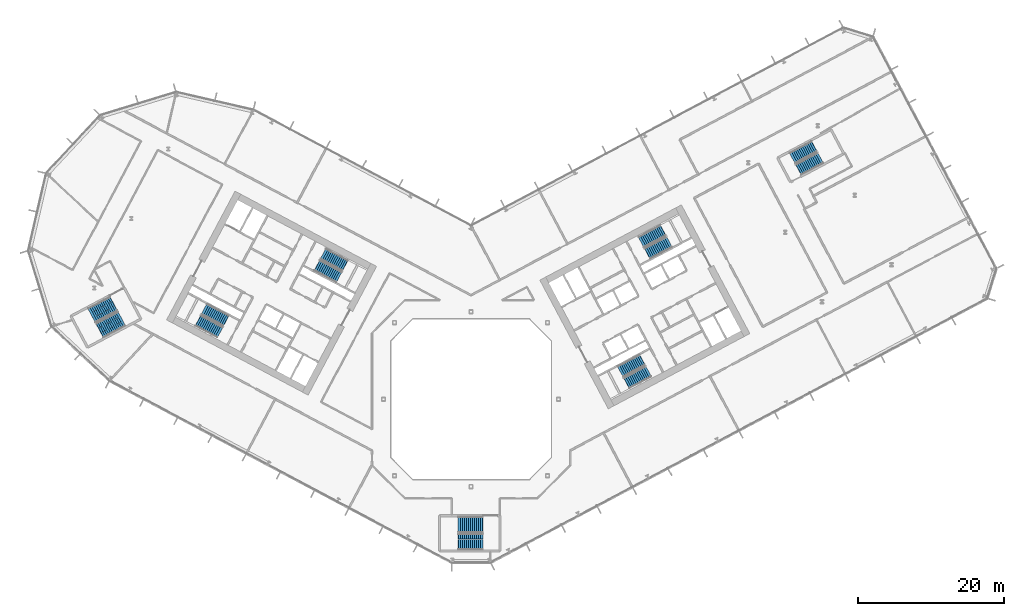
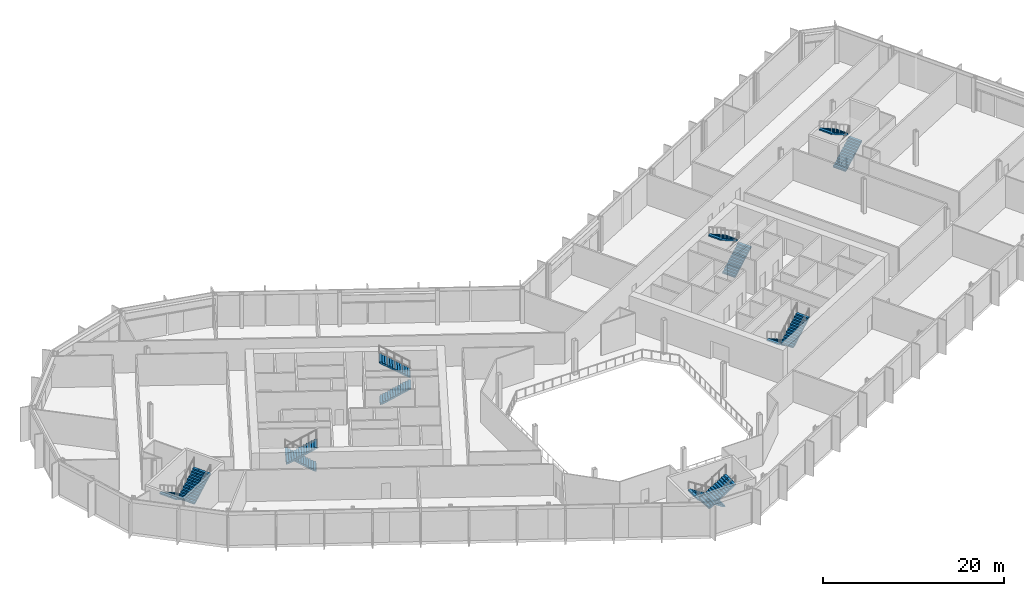
# One storey, part 20 of 31: 14 stair flights, 7 elements without a shape of their own.
"""IFC4 building model written with IfcOpenShell, lengths in metres."""

from ifc_helpers import new_model, si_unit, direction, frame, origin, place, context, subcontext, project, spatial, polyline, outline, extrude, material, type_object, element, aggregate, save


model = new_model("IFC4")

# Units and contexts
model_context = context("Model", 3, precision=1e-05, world=origin(), true_north=direction((0.0, 1.0)))
body_context = subcontext(model_context, "Body", "Model", "MODEL_VIEW")
ifc_project = project(units=[si_unit("LENGTHUNIT", "METRE"), si_unit("AREAUNIT", "SQUARE_METRE"), si_unit("VOLUMEUNIT", "CUBIC_METRE"), si_unit("PLANEANGLEUNIT", "RADIAN"), si_unit("MASSUNIT", "GRAM", prefix="KILO")], contexts=[model_context])

# Site, building, storey
site_placement = place(None, origin())
site = spatial("IfcSite", under=ifc_project, at=site_placement, CompositionType="ELEMENT")
building_placement = place(site_placement, origin())
building = spatial("IfcBuilding", under=site, at=building_placement, Name="Cormorant Relay Tower", CompositionType="ELEMENT")
storey_placement = place(building_placement, frame((0.0, 0.0, 93.800048828125)))
storey = spatial("IfcBuildingStorey", under=building, at=storey_placement, Name="L18", CompositionType="ELEMENT", Elevation=93.800048828125)

# Stair, stair flights
ifc_material_1 = material(Name="Concrete 40 MPa", Category="concrete")
stair_type_1 = type_object("IfcStairType", Name="Exit stair 1500", PredefinedType="HALF_TURN_STAIR", material=ifc_material_1)
stair_1_placement = place(storey_placement, origin())
stair_1 = element("IfcStair", 1, at=stair_1_placement, inside=storey, type_object=stair_type_1, Name="L18 Stair", PredefinedType="HALF_TURN_STAIR")
ifc_material_2 = material(Name="Concrete 40 MPa", Category="concrete")
stair_flight_type_1 = type_object("IfcStairFlightType", Name="Exit stair flight 1650", PredefinedType="STRAIGHT", material=ifc_material_2)
stair_flight_1_placement = place(storey_placement, frame((-21.114501953125, 18.33349609375, 0.0), z_axis=(0.0, 0.0, 1.0), x_axis=(0.882947592859, -0.469471562786, 0.0)))
stair_flight_1 = element("IfcStairFlight", 2, at=stair_flight_1_placement, type_object=stair_flight_type_1, Name="A1 flight 1", NumberOfRisers=13, NumberOfTreads=12, PredefinedType="STRAIGHT", RiserHeight=0.176923077, TreadLength=0.28, context=body_context, shape_type="SweptSolid", body=[
    extrude(outline(polyline([(-0.050048828125, -0.080078125), (-0.050048828125, 0.0), (0.0, 0.0), (0.0, 0.177001953125), (0.280029296875, 0.177001953125), (0.280029296875, 0.353759765625), (0.56005859375, 0.353759765625), (0.56005859375, 0.53076171875), (0.840087890625, 0.53076171875), (0.840087890625, 0.707763671875), (1.1201171875, 0.707763671875), (1.1201171875, 0.884521484375), (1.39990234375, 0.884521484375), (1.39990234375, 1.0615234375), (1.679931640625, 1.0615234375), (1.679931640625, 1.238525390625), (1.9599609375, 1.238525390625), (1.9599609375, 1.415283203125), (2.239990234375, 1.415283203125), (2.239990234375, 1.59228515625), (2.52001953125, 1.59228515625), (2.52001953125, 1.769287109375), (2.800048828125, 1.769287109375), (2.800048828125, 1.946044921875), (3.080078125, 1.946044921875), (3.080078125, 2.123046875), (3.360107421875, 2.123046875), (3.41015625, 2.123046875), (3.41015625, 1.94580078125), (3.360107421875, 1.94580078125), (0.280517578125, 0.0), (-0.050048828125, -0.080078125)])), frame((0.0, 0.824951171875, 0.0), z_axis=(0.0, -1.0, 0.0), x_axis=(1.0, 0.0, 0.0)), (0.0, 0.0, 1.0), 1.64990234375),
])
stair_flight_2_placement = place(storey_placement, frame((-17.302734375, 18.345458984375, 2.300048828125), z_axis=(0.0, 0.0, 1.0), x_axis=(-0.882947592859, 0.469471562786, 0.0)))
stair_flight_2 = element("IfcStairFlight", 3, at=stair_flight_2_placement, type_object=stair_flight_type_1, Name="A1 flight 2", NumberOfRisers=13, NumberOfTreads=12, PredefinedType="STRAIGHT", RiserHeight=0.176923077, TreadLength=0.28, context=body_context, shape_type="SweptSolid", body=[
    extrude(outline(polyline([(-0.050048828125, -0.080078125), (-0.050048828125, 0.0), (0.0, 0.0), (0.0, 0.177001953125), (0.280029296875, 0.177001953125), (0.280029296875, 0.353759765625), (0.56005859375, 0.353759765625), (0.56005859375, 0.53076171875), (0.840087890625, 0.53076171875), (0.840087890625, 0.707763671875), (1.1201171875, 0.707763671875), (1.1201171875, 0.884521484375), (1.39990234375, 0.884521484375), (1.39990234375, 1.0615234375), (1.679931640625, 1.0615234375), (1.679931640625, 1.238525390625), (1.9599609375, 1.238525390625), (1.9599609375, 1.415283203125), (2.239990234375, 1.415283203125), (2.239990234375, 1.59228515625), (2.52001953125, 1.59228515625), (2.52001953125, 1.769287109375), (2.800048828125, 1.769287109375), (2.800048828125, 1.946044921875), (3.080078125, 1.946044921875), (3.080078125, 2.123046875), (3.360107421875, 2.123046875), (3.41015625, 2.123046875), (3.41015625, 1.94580078125), (3.360107421875, 1.94580078125), (0.280517578125, 0.0), (-0.050048828125, -0.080078125)])), frame((0.0, 0.824951171875, 0.0), z_axis=(0.0, -1.0, 0.0), x_axis=(1.0, 0.0, 0.0)), (0.0, 0.0, 1.0), 1.64990234375),
])
aggregate(stair_1, [stair_flight_1, stair_flight_2])

stair_2_placement = place(storey_placement, origin())
stair_2 = element("IfcStair", 4, at=stair_2_placement, inside=storey, type_object=stair_type_1, Name="L18 Stair", PredefinedType="HALF_TURN_STAIR")
stair_flight_3_placement = place(storey_placement, frame((-33.62841796875, 10.773681640625, 0.0), z_axis=(0.0, 0.0, 1.0), x_axis=(-0.882947592859, 0.469471562786, 0.0)))
stair_flight_3 = element("IfcStairFlight", 5, at=stair_flight_3_placement, type_object=stair_flight_type_1, Name="A2 flight 1", NumberOfRisers=13, NumberOfTreads=12, PredefinedType="STRAIGHT", RiserHeight=0.176923077, TreadLength=0.28, context=body_context, shape_type="SweptSolid", body=[
    extrude(outline(polyline([(-0.050048828125, -0.080078125), (-0.050048828125, 0.0), (0.0, 0.0), (0.0, 0.177001953125), (0.280029296875, 0.177001953125), (0.280029296875, 0.353759765625), (0.56005859375, 0.353759765625), (0.56005859375, 0.53076171875), (0.840087890625, 0.53076171875), (0.840087890625, 0.707763671875), (1.1201171875, 0.707763671875), (1.1201171875, 0.884521484375), (1.39990234375, 0.884521484375), (1.39990234375, 1.0615234375), (1.679931640625, 1.0615234375), (1.679931640625, 1.238525390625), (1.9599609375, 1.238525390625), (1.9599609375, 1.415283203125), (2.239990234375, 1.415283203125), (2.239990234375, 1.59228515625), (2.52001953125, 1.59228515625), (2.52001953125, 1.769287109375), (2.800048828125, 1.769287109375), (2.800048828125, 1.946044921875), (3.080078125, 1.946044921875), (3.080078125, 2.123046875), (3.360107421875, 2.123046875), (3.41015625, 2.123046875), (3.41015625, 1.94580078125), (3.360107421875, 1.94580078125), (0.280517578125, 0.0), (-0.050048828125, -0.080078125)])), frame((0.0, 0.824951171875, 0.0), z_axis=(0.0, -1.0, 0.0), x_axis=(1.0, 0.0, 0.0)), (0.0, 0.0, 1.0), 1.64990234375),
])
stair_flight_4_placement = place(storey_placement, frame((-37.440185546875, 10.76171875, 2.300048828125), z_axis=(0.0, 0.0, 1.0), x_axis=(0.882947592859, -0.469471562786, 0.0)))
stair_flight_4 = element("IfcStairFlight", 6, at=stair_flight_4_placement, type_object=stair_flight_type_1, Name="A2 flight 2", NumberOfRisers=13, NumberOfTreads=12, PredefinedType="STRAIGHT", RiserHeight=0.176923077, TreadLength=0.28, context=body_context, shape_type="SweptSolid", body=[
    extrude(outline(polyline([(-0.050048828125, -0.080078125), (-0.050048828125, 0.0), (0.0, 0.0), (0.0, 0.177001953125), (0.280029296875, 0.177001953125), (0.280029296875, 0.353759765625), (0.56005859375, 0.353759765625), (0.56005859375, 0.53076171875), (0.840087890625, 0.53076171875), (0.840087890625, 0.707763671875), (1.1201171875, 0.707763671875), (1.1201171875, 0.884521484375), (1.39990234375, 0.884521484375), (1.39990234375, 1.0615234375), (1.679931640625, 1.0615234375), (1.679931640625, 1.238525390625), (1.9599609375, 1.238525390625), (1.9599609375, 1.415283203125), (2.239990234375, 1.415283203125), (2.239990234375, 1.59228515625), (2.52001953125, 1.59228515625), (2.52001953125, 1.769287109375), (2.800048828125, 1.769287109375), (2.800048828125, 1.946044921875), (3.080078125, 1.946044921875), (3.080078125, 2.123046875), (3.360107421875, 2.123046875), (3.41015625, 2.123046875), (3.41015625, 1.94580078125), (3.360107421875, 1.94580078125), (0.280517578125, 0.0), (-0.050048828125, -0.080078125)])), frame((0.0, 0.824951171875, 0.0), z_axis=(0.0, -1.0, 0.0), x_axis=(1.0, 0.0, 0.0)), (0.0, 0.0, 1.0), 1.64990234375),
])
aggregate(stair_2, [stair_flight_3, stair_flight_4])

stair_3_placement = place(storey_placement, origin())
stair_3 = element("IfcStair", 7, at=stair_3_placement, inside=storey, type_object=stair_type_1, Name="L18 Stair", PredefinedType="HALF_TURN_STAIR")
stair_flight_5_placement = place(storey_placement, frame((23.474365234375, 5.374755859375, 0.0), z_axis=(0.0, 0.0, 1.0), x_axis=(-0.882947592859, -0.469471562786, 0.0)))
stair_flight_5 = element("IfcStairFlight", 8, at=stair_flight_5_placement, type_object=stair_flight_type_1, Name="B1 flight 1", NumberOfRisers=13, NumberOfTreads=12, PredefinedType="STRAIGHT", RiserHeight=0.176923077, TreadLength=0.28, context=body_context, shape_type="SweptSolid", body=[
    extrude(outline(polyline([(-0.050048828125, -0.080078125), (-0.050048828125, 0.0), (0.0, 0.0), (0.0, 0.177001953125), (0.280029296875, 0.177001953125), (0.280029296875, 0.353759765625), (0.56005859375, 0.353759765625), (0.56005859375, 0.53076171875), (0.840087890625, 0.53076171875), (0.840087890625, 0.707763671875), (1.1201171875, 0.707763671875), (1.1201171875, 0.884521484375), (1.39990234375, 0.884521484375), (1.39990234375, 1.0615234375), (1.679931640625, 1.0615234375), (1.679931640625, 1.238525390625), (1.9599609375, 1.238525390625), (1.9599609375, 1.415283203125), (2.239990234375, 1.415283203125), (2.239990234375, 1.59228515625), (2.52001953125, 1.59228515625), (2.52001953125, 1.769287109375), (2.800048828125, 1.769287109375), (2.800048828125, 1.946044921875), (3.080078125, 1.946044921875), (3.080078125, 2.123046875), (3.360107421875, 2.123046875), (3.41015625, 2.123046875), (3.41015625, 1.94580078125), (3.360107421875, 1.94580078125), (0.280517578125, 0.0), (-0.050048828125, -0.080078125)])), frame((0.0, 0.824951171875, 0.0), z_axis=(0.0, -1.0, 0.0), x_axis=(1.0, 0.0, 0.0)), (0.0, 0.0, 1.0), 1.64990234375),
])
stair_flight_6_placement = place(storey_placement, frame((21.352783203125, 2.2080078125, 2.300048828125), z_axis=(0.0, 0.0, 1.0), x_axis=(0.882947592859, 0.469471562786, 0.0)))
stair_flight_6 = element("IfcStairFlight", 9, at=stair_flight_6_placement, type_object=stair_flight_type_1, Name="B1 flight 2", NumberOfRisers=13, NumberOfTreads=12, PredefinedType="STRAIGHT", RiserHeight=0.176923077, TreadLength=0.28, context=body_context, shape_type="SweptSolid", body=[
    extrude(outline(polyline([(-0.050048828125, -0.080078125), (-0.050048828125, 0.0), (0.0, 0.0), (0.0, 0.177001953125), (0.280029296875, 0.177001953125), (0.280029296875, 0.353759765625), (0.56005859375, 0.353759765625), (0.56005859375, 0.53076171875), (0.840087890625, 0.53076171875), (0.840087890625, 0.707763671875), (1.1201171875, 0.707763671875), (1.1201171875, 0.884521484375), (1.39990234375, 0.884521484375), (1.39990234375, 1.0615234375), (1.679931640625, 1.0615234375), (1.679931640625, 1.238525390625), (1.9599609375, 1.238525390625), (1.9599609375, 1.415283203125), (2.239990234375, 1.415283203125), (2.239990234375, 1.59228515625), (2.52001953125, 1.59228515625), (2.52001953125, 1.769287109375), (2.800048828125, 1.769287109375), (2.800048828125, 1.946044921875), (3.080078125, 1.946044921875), (3.080078125, 2.123046875), (3.360107421875, 2.123046875), (3.41015625, 2.123046875), (3.41015625, 1.94580078125), (3.360107421875, 1.94580078125), (0.280517578125, 0.0), (-0.050048828125, -0.080078125)])), frame((0.0, 0.824951171875, 0.0), z_axis=(0.0, -1.0, 0.0), x_axis=(1.0, 0.0, 0.0)), (0.0, 0.0, 1.0), 1.64990234375),
])
aggregate(stair_3, [stair_flight_5, stair_flight_6])

stair_4_placement = place(storey_placement, origin())
stair_4 = element("IfcStair", 10, at=stair_4_placement, inside=storey, type_object=stair_type_1, Name="L18 Stair", PredefinedType="HALF_TURN_STAIR")
stair_flight_7_placement = place(storey_placement, frame((24.20458984375, 19.976806640625, 0.0), z_axis=(0.0, 0.0, 1.0), x_axis=(0.882947592859, 0.469471562786, 0.0)))
stair_flight_7 = element("IfcStairFlight", 11, at=stair_flight_7_placement, type_object=stair_flight_type_1, Name="B2 flight 1", NumberOfRisers=13, NumberOfTreads=12, PredefinedType="STRAIGHT", RiserHeight=0.176923077, TreadLength=0.28, context=body_context, shape_type="SweptSolid", body=[
    extrude(outline(polyline([(-0.050048828125, -0.080078125), (-0.050048828125, 0.0), (0.0, 0.0), (0.0, 0.177001953125), (0.280029296875, 0.177001953125), (0.280029296875, 0.353759765625), (0.56005859375, 0.353759765625), (0.56005859375, 0.53076171875), (0.840087890625, 0.53076171875), (0.840087890625, 0.707763671875), (1.1201171875, 0.707763671875), (1.1201171875, 0.884521484375), (1.39990234375, 0.884521484375), (1.39990234375, 1.0615234375), (1.679931640625, 1.0615234375), (1.679931640625, 1.238525390625), (1.9599609375, 1.238525390625), (1.9599609375, 1.415283203125), (2.239990234375, 1.415283203125), (2.239990234375, 1.59228515625), (2.52001953125, 1.59228515625), (2.52001953125, 1.769287109375), (2.800048828125, 1.769287109375), (2.800048828125, 1.946044921875), (3.080078125, 1.946044921875), (3.080078125, 2.123046875), (3.360107421875, 2.123046875), (3.41015625, 2.123046875), (3.41015625, 1.94580078125), (3.360107421875, 1.94580078125), (0.280517578125, 0.0), (-0.050048828125, -0.080078125)])), frame((0.0, 0.824951171875, 0.0), z_axis=(0.0, -1.0, 0.0), x_axis=(1.0, 0.0, 0.0)), (0.0, 0.0, 1.0), 1.64990234375),
])
stair_flight_8_placement = place(storey_placement, frame((26.326416015625, 23.1435546875, 2.300048828125), z_axis=(0.0, 0.0, 1.0), x_axis=(-0.882947592859, -0.469471562786, 0.0)))
stair_flight_8 = element("IfcStairFlight", 12, at=stair_flight_8_placement, type_object=stair_flight_type_1, Name="B2 flight 2", NumberOfRisers=13, NumberOfTreads=12, PredefinedType="STRAIGHT", RiserHeight=0.176923077, TreadLength=0.28, context=body_context, shape_type="SweptSolid", body=[
    extrude(outline(polyline([(-0.050048828125, -0.080078125), (-0.050048828125, 0.0), (0.0, 0.0), (0.0, 0.177001953125), (0.280029296875, 0.177001953125), (0.280029296875, 0.353759765625), (0.56005859375, 0.353759765625), (0.56005859375, 0.53076171875), (0.840087890625, 0.53076171875), (0.840087890625, 0.707763671875), (1.1201171875, 0.707763671875), (1.1201171875, 0.884521484375), (1.39990234375, 0.884521484375), (1.39990234375, 1.0615234375), (1.679931640625, 1.0615234375), (1.679931640625, 1.238525390625), (1.9599609375, 1.238525390625), (1.9599609375, 1.415283203125), (2.239990234375, 1.415283203125), (2.239990234375, 1.59228515625), (2.52001953125, 1.59228515625), (2.52001953125, 1.769287109375), (2.800048828125, 1.769287109375), (2.800048828125, 1.946044921875), (3.080078125, 1.946044921875), (3.080078125, 2.123046875), (3.360107421875, 2.123046875), (3.41015625, 2.123046875), (3.41015625, 1.94580078125), (3.360107421875, 1.94580078125), (0.280517578125, 0.0), (-0.050048828125, -0.080078125)])), frame((0.0, 0.824951171875, 0.0), z_axis=(0.0, -1.0, 0.0), x_axis=(1.0, 0.0, 0.0)), (0.0, 0.0, 1.0), 1.64990234375),
])
aggregate(stair_4, [stair_flight_7, stair_flight_8])

stair_5_placement = place(storey_placement, origin())
stair_5 = element("IfcStair", 13, at=stair_5_placement, inside=storey, type_object=stair_type_1, Name="L18 Stair", PredefinedType="HALF_TURN_STAIR")
stair_flight_9_placement = place(storey_placement, frame((44.947509765625, 31.502197265625, 0.0), z_axis=(0.0, 0.0, 1.0), x_axis=(0.882947502727, 0.4694717323, 0.0)))
stair_flight_9 = element("IfcStairFlight", 14, at=stair_flight_9_placement, type_object=stair_flight_type_1, Name="RB1 flight 1", NumberOfRisers=13, NumberOfTreads=12, PredefinedType="STRAIGHT", RiserHeight=0.176923077, TreadLength=0.28, context=body_context, shape_type="SweptSolid", body=[
    extrude(outline(polyline([(-0.050048828125, -0.080078125), (-0.050048828125, 0.0), (0.0, 0.0), (0.0, 0.177001953125), (0.280029296875, 0.177001953125), (0.280029296875, 0.353759765625), (0.56005859375, 0.353759765625), (0.56005859375, 0.53076171875), (0.840087890625, 0.53076171875), (0.840087890625, 0.707763671875), (1.1201171875, 0.707763671875), (1.1201171875, 0.884521484375), (1.39990234375, 0.884521484375), (1.39990234375, 1.0615234375), (1.679931640625, 1.0615234375), (1.679931640625, 1.238525390625), (1.9599609375, 1.238525390625), (1.9599609375, 1.415283203125), (2.239990234375, 1.415283203125), (2.239990234375, 1.59228515625), (2.52001953125, 1.59228515625), (2.52001953125, 1.769287109375), (2.800048828125, 1.769287109375), (2.800048828125, 1.946044921875), (3.080078125, 1.946044921875), (3.080078125, 2.123046875), (3.360107421875, 2.123046875), (3.41015625, 2.123046875), (3.41015625, 1.94580078125), (3.360107421875, 1.94580078125), (0.280517578125, 0.0), (-0.050048828125, -0.080078125)])), frame((0.0, 0.824951171875, 0.0), z_axis=(0.0, -1.0, 0.0), x_axis=(1.0, 0.0, 0.0)), (0.0, 0.0, 1.0), 1.64990234375),
])
stair_flight_10_placement = place(storey_placement, frame((47.0693359375, 34.668701171875, 2.300048828125), z_axis=(0.0, 0.0, 1.0), x_axis=(-0.882947502727, -0.4694717323, 0.0)))
stair_flight_10 = element("IfcStairFlight", 15, at=stair_flight_10_placement, type_object=stair_flight_type_1, Name="RB1 flight 2", NumberOfRisers=13, NumberOfTreads=12, PredefinedType="STRAIGHT", RiserHeight=0.176923077, TreadLength=0.28, context=body_context, shape_type="SweptSolid", body=[
    extrude(outline(polyline([(-0.050048828125, -0.080078125), (-0.050048828125, 0.0), (0.0, 0.0), (0.0, 0.177001953125), (0.280029296875, 0.177001953125), (0.280029296875, 0.353759765625), (0.56005859375, 0.353759765625), (0.56005859375, 0.53076171875), (0.840087890625, 0.53076171875), (0.840087890625, 0.707763671875), (1.1201171875, 0.707763671875), (1.1201171875, 0.884521484375), (1.39990234375, 0.884521484375), (1.39990234375, 1.0615234375), (1.679931640625, 1.0615234375), (1.679931640625, 1.238525390625), (1.9599609375, 1.238525390625), (1.9599609375, 1.415283203125), (2.239990234375, 1.415283203125), (2.239990234375, 1.59228515625), (2.52001953125, 1.59228515625), (2.52001953125, 1.769287109375), (2.800048828125, 1.769287109375), (2.800048828125, 1.946044921875), (3.080078125, 1.946044921875), (3.080078125, 2.123046875), (3.360107421875, 2.123046875), (3.41015625, 2.123046875), (3.41015625, 1.94580078125), (3.360107421875, 1.94580078125), (0.280517578125, 0.0), (-0.050048828125, -0.080078125)])), frame((0.0, 0.824951171875, 0.0), z_axis=(0.0, -1.0, 0.0), x_axis=(1.0, 0.0, 0.0)), (0.0, 0.0, 1.0), 1.64990234375),
])
aggregate(stair_5, [stair_flight_9, stair_flight_10])

ifc_material_3 = material(Name="Concrete 40 MPa", Category="concrete")
stair_type_2 = type_object("IfcStairType", Name="Remote exit stair 2200", PredefinedType="HALF_TURN_STAIR", material=ifc_material_3)
stair_6_placement = place(storey_placement, origin())
stair_6 = element("IfcStair", 16, at=stair_6_placement, inside=storey, type_object=stair_type_2, Name="L18 Stair", PredefinedType="HALF_TURN_STAIR")
ifc_material_4 = material(Name="Concrete 40 MPa", Category="concrete")
stair_flight_type_2 = type_object("IfcStairFlightType", Name="Remote exit stair flight 2200", PredefinedType="STRAIGHT", material=ifc_material_4)
stair_flight_11_placement = place(storey_placement, frame((1.60009765625, -17.22509765625, 0.0), z_axis=(0.0, 0.0, 1.0), x_axis=(-1.0, 0.0, 0.0)))
stair_flight_11 = element("IfcStairFlight", 17, at=stair_flight_11_placement, type_object=stair_flight_type_2, Name="RK1 flight 1", NumberOfRisers=13, NumberOfTreads=12, PredefinedType="STRAIGHT", RiserHeight=0.176923077, TreadLength=0.28, context=body_context, shape_type="SweptSolid", body=[
    extrude(outline(polyline([(-0.050048828125, -0.080078125), (-0.050048828125, 0.0), (0.0, 0.0), (0.0, 0.177001953125), (0.280029296875, 0.177001953125), (0.280029296875, 0.353759765625), (0.56005859375, 0.353759765625), (0.56005859375, 0.53076171875), (0.840087890625, 0.53076171875), (0.840087890625, 0.707763671875), (1.1201171875, 0.707763671875), (1.1201171875, 0.884521484375), (1.39990234375, 0.884521484375), (1.39990234375, 1.0615234375), (1.679931640625, 1.0615234375), (1.679931640625, 1.238525390625), (1.9599609375, 1.238525390625), (1.9599609375, 1.415283203125), (2.239990234375, 1.415283203125), (2.239990234375, 1.59228515625), (2.52001953125, 1.59228515625), (2.52001953125, 1.769287109375), (2.800048828125, 1.769287109375), (2.800048828125, 1.946044921875), (3.080078125, 1.946044921875), (3.080078125, 2.123046875), (3.360107421875, 2.123046875), (3.41015625, 2.123046875), (3.41015625, 1.94580078125), (3.360107421875, 1.94580078125), (0.280517578125, 0.0), (-0.050048828125, -0.080078125)])), frame((0.0, 1.10009765625, 0.0), z_axis=(0.0, -1.0, 0.0), x_axis=(1.0, 0.0, 0.0)), (0.0, 0.0, 1.0), 0.719970703125),
    extrude(outline(polyline([(-0.050048828125, -0.080078125), (-0.050048828125, 0.0), (0.0, 0.0), (0.0, 0.177001953125), (0.280029296875, 0.177001953125), (0.280029296875, 0.353759765625), (0.56005859375, 0.353759765625), (0.56005859375, 0.53076171875), (0.840087890625, 0.53076171875), (0.840087890625, 0.707763671875), (1.1201171875, 0.707763671875), (1.1201171875, 0.884521484375), (1.39990234375, 0.884521484375), (1.39990234375, 1.0615234375), (1.679931640625, 1.0615234375), (1.679931640625, 1.238525390625), (1.9599609375, 1.238525390625), (1.9599609375, 1.415283203125), (2.239990234375, 1.415283203125), (2.239990234375, 1.59228515625), (2.52001953125, 1.59228515625), (2.52001953125, 1.769287109375), (2.800048828125, 1.769287109375), (2.800048828125, 1.946044921875), (3.080078125, 1.946044921875), (3.080078125, 2.123046875), (3.360107421875, 2.123046875), (3.41015625, 2.123046875), (3.41015625, 1.94580078125), (3.360107421875, 1.94580078125), (0.280517578125, 0.0), (-0.050048828125, -0.080078125)])), frame((0.0, 0.360107421875, 0.0), z_axis=(0.0, -1.0, 0.0), x_axis=(1.0, 0.0, 0.0)), (0.0, 0.0, 1.0), 0.719970703125),
    extrude(outline(polyline([(-0.050048828125, -0.080078125), (-0.050048828125, 0.0), (0.0, 0.0), (0.0, 0.177001953125), (0.280029296875, 0.177001953125), (0.280029296875, 0.353759765625), (0.56005859375, 0.353759765625), (0.56005859375, 0.53076171875), (0.840087890625, 0.53076171875), (0.840087890625, 0.707763671875), (1.1201171875, 0.707763671875), (1.1201171875, 0.884521484375), (1.39990234375, 0.884521484375), (1.39990234375, 1.0615234375), (1.679931640625, 1.0615234375), (1.679931640625, 1.238525390625), (1.9599609375, 1.238525390625), (1.9599609375, 1.415283203125), (2.239990234375, 1.415283203125), (2.239990234375, 1.59228515625), (2.52001953125, 1.59228515625), (2.52001953125, 1.769287109375), (2.800048828125, 1.769287109375), (2.800048828125, 1.946044921875), (3.080078125, 1.946044921875), (3.080078125, 2.123046875), (3.360107421875, 2.123046875), (3.41015625, 2.123046875), (3.41015625, 1.94580078125), (3.360107421875, 1.94580078125), (0.280517578125, 0.0), (-0.050048828125, -0.080078125)])), frame((0.0, -0.3798828125, 0.0), z_axis=(0.0, -1.0, 0.0), x_axis=(1.0, 0.0, 0.0)), (0.0, 0.0, 1.0), 0.719970703125),
])
stair_flight_12_placement = place(storey_placement, frame((-1.760009765625, -19.574951171875, 2.300048828125), z_axis=(0.0, 0.0, 1.0), x_axis=(1.0, 0.0, 0.0)))
stair_flight_12 = element("IfcStairFlight", 18, at=stair_flight_12_placement, type_object=stair_flight_type_2, Name="RK1 flight 2", NumberOfRisers=13, NumberOfTreads=12, PredefinedType="STRAIGHT", RiserHeight=0.176923077, TreadLength=0.28, context=body_context, shape_type="SweptSolid", body=[
    extrude(outline(polyline([(-0.050048828125, -0.080078125), (-0.050048828125, 0.0), (0.0, 0.0), (0.0, 0.177001953125), (0.280029296875, 0.177001953125), (0.280029296875, 0.353759765625), (0.56005859375, 0.353759765625), (0.56005859375, 0.53076171875), (0.840087890625, 0.53076171875), (0.840087890625, 0.707763671875), (1.1201171875, 0.707763671875), (1.1201171875, 0.884521484375), (1.39990234375, 0.884521484375), (1.39990234375, 1.0615234375), (1.679931640625, 1.0615234375), (1.679931640625, 1.238525390625), (1.9599609375, 1.238525390625), (1.9599609375, 1.415283203125), (2.239990234375, 1.415283203125), (2.239990234375, 1.59228515625), (2.52001953125, 1.59228515625), (2.52001953125, 1.769287109375), (2.800048828125, 1.769287109375), (2.800048828125, 1.946044921875), (3.080078125, 1.946044921875), (3.080078125, 2.123046875), (3.360107421875, 2.123046875), (3.41015625, 2.123046875), (3.41015625, 1.94580078125), (3.360107421875, 1.94580078125), (0.280517578125, 0.0), (-0.050048828125, -0.080078125)])), frame((0.0, 1.10009765625, 0.0), z_axis=(0.0, -1.0, 0.0), x_axis=(1.0, 0.0, 0.0)), (0.0, 0.0, 1.0), 0.719970703125),
    extrude(outline(polyline([(-0.050048828125, -0.080078125), (-0.050048828125, 0.0), (0.0, 0.0), (0.0, 0.177001953125), (0.280029296875, 0.177001953125), (0.280029296875, 0.353759765625), (0.56005859375, 0.353759765625), (0.56005859375, 0.53076171875), (0.840087890625, 0.53076171875), (0.840087890625, 0.707763671875), (1.1201171875, 0.707763671875), (1.1201171875, 0.884521484375), (1.39990234375, 0.884521484375), (1.39990234375, 1.0615234375), (1.679931640625, 1.0615234375), (1.679931640625, 1.238525390625), (1.9599609375, 1.238525390625), (1.9599609375, 1.415283203125), (2.239990234375, 1.415283203125), (2.239990234375, 1.59228515625), (2.52001953125, 1.59228515625), (2.52001953125, 1.769287109375), (2.800048828125, 1.769287109375), (2.800048828125, 1.946044921875), (3.080078125, 1.946044921875), (3.080078125, 2.123046875), (3.360107421875, 2.123046875), (3.41015625, 2.123046875), (3.41015625, 1.94580078125), (3.360107421875, 1.94580078125), (0.280517578125, 0.0), (-0.050048828125, -0.080078125)])), frame((0.0, 0.360107421875, 0.0), z_axis=(0.0, -1.0, 0.0), x_axis=(1.0, 0.0, 0.0)), (0.0, 0.0, 1.0), 0.719970703125),
    extrude(outline(polyline([(-0.050048828125, -0.080078125), (-0.050048828125, 0.0), (0.0, 0.0), (0.0, 0.177001953125), (0.280029296875, 0.177001953125), (0.280029296875, 0.353759765625), (0.56005859375, 0.353759765625), (0.56005859375, 0.53076171875), (0.840087890625, 0.53076171875), (0.840087890625, 0.707763671875), (1.1201171875, 0.707763671875), (1.1201171875, 0.884521484375), (1.39990234375, 0.884521484375), (1.39990234375, 1.0615234375), (1.679931640625, 1.0615234375), (1.679931640625, 1.238525390625), (1.9599609375, 1.238525390625), (1.9599609375, 1.415283203125), (2.239990234375, 1.415283203125), (2.239990234375, 1.59228515625), (2.52001953125, 1.59228515625), (2.52001953125, 1.769287109375), (2.800048828125, 1.769287109375), (2.800048828125, 1.946044921875), (3.080078125, 1.946044921875), (3.080078125, 2.123046875), (3.360107421875, 2.123046875), (3.41015625, 2.123046875), (3.41015625, 1.94580078125), (3.360107421875, 1.94580078125), (0.280517578125, 0.0), (-0.050048828125, -0.080078125)])), frame((0.0, -0.3798828125, 0.0), z_axis=(0.0, -1.0, 0.0), x_axis=(1.0, 0.0, 0.0)), (0.0, 0.0, 1.0), 0.719970703125),
])
aggregate(stair_6, [stair_flight_11, stair_flight_12])

stair_7_placement = place(storey_placement, origin())
stair_7 = element("IfcStair", 19, at=stair_7_placement, inside=storey, type_object=stair_type_2, Name="L18 Stair", PredefinedType="HALF_TURN_STAIR")
stair_flight_13_placement = place(storey_placement, frame((-49.062255859375, 13.08251953125, 0.0), z_axis=(0.0, 0.0, 1.0), x_axis=(-0.882947502727, -0.4694717323, 0.0)))
stair_flight_13 = element("IfcStairFlight", 20, at=stair_flight_13_placement, type_object=stair_flight_type_2, Name="RP1 flight 1", NumberOfRisers=13, NumberOfTreads=12, PredefinedType="STRAIGHT", RiserHeight=0.176923077, TreadLength=0.28, context=body_context, shape_type="SweptSolid", body=[
    extrude(outline(polyline([(-0.050048828125, -0.080078125), (-0.050048828125, 0.0), (0.0, 0.0), (0.0, 0.177001953125), (0.280029296875, 0.177001953125), (0.280029296875, 0.353759765625), (0.56005859375, 0.353759765625), (0.56005859375, 0.53076171875), (0.840087890625, 0.53076171875), (0.840087890625, 0.707763671875), (1.1201171875, 0.707763671875), (1.1201171875, 0.884521484375), (1.39990234375, 0.884521484375), (1.39990234375, 1.0615234375), (1.679931640625, 1.0615234375), (1.679931640625, 1.238525390625), (1.9599609375, 1.238525390625), (1.9599609375, 1.415283203125), (2.239990234375, 1.415283203125), (2.239990234375, 1.59228515625), (2.52001953125, 1.59228515625), (2.52001953125, 1.769287109375), (2.800048828125, 1.769287109375), (2.800048828125, 1.946044921875), (3.080078125, 1.946044921875), (3.080078125, 2.123046875), (3.360107421875, 2.123046875), (3.41015625, 2.123046875), (3.41015625, 1.94580078125), (3.360107421875, 1.94580078125), (0.280517578125, 0.0), (-0.050048828125, -0.080078125)])), frame((0.0, 1.10009765625, 0.0), z_axis=(0.0, -1.0, 0.0), x_axis=(1.0, 0.0, 0.0)), (0.0, 0.0, 1.0), 0.719970703125),
    extrude(outline(polyline([(-0.050048828125, -0.080078125), (-0.050048828125, 0.0), (0.0, 0.0), (0.0, 0.177001953125), (0.280029296875, 0.177001953125), (0.280029296875, 0.353759765625), (0.56005859375, 0.353759765625), (0.56005859375, 0.53076171875), (0.840087890625, 0.53076171875), (0.840087890625, 0.707763671875), (1.1201171875, 0.707763671875), (1.1201171875, 0.884521484375), (1.39990234375, 0.884521484375), (1.39990234375, 1.0615234375), (1.679931640625, 1.0615234375), (1.679931640625, 1.238525390625), (1.9599609375, 1.238525390625), (1.9599609375, 1.415283203125), (2.239990234375, 1.415283203125), (2.239990234375, 1.59228515625), (2.52001953125, 1.59228515625), (2.52001953125, 1.769287109375), (2.800048828125, 1.769287109375), (2.800048828125, 1.946044921875), (3.080078125, 1.946044921875), (3.080078125, 2.123046875), (3.360107421875, 2.123046875), (3.41015625, 2.123046875), (3.41015625, 1.94580078125), (3.360107421875, 1.94580078125), (0.280517578125, 0.0), (-0.050048828125, -0.080078125)])), frame((0.0, 0.360107421875, 0.0), z_axis=(0.0, -1.0, 0.0), x_axis=(1.0, 0.0, 0.0)), (0.0, 0.0, 1.0), 0.719970703125),
    extrude(outline(polyline([(-0.050048828125, -0.080078125), (-0.050048828125, 0.0), (0.0, 0.0), (0.0, 0.177001953125), (0.280029296875, 0.177001953125), (0.280029296875, 0.353759765625), (0.56005859375, 0.353759765625), (0.56005859375, 0.53076171875), (0.840087890625, 0.53076171875), (0.840087890625, 0.707763671875), (1.1201171875, 0.707763671875), (1.1201171875, 0.884521484375), (1.39990234375, 0.884521484375), (1.39990234375, 1.0615234375), (1.679931640625, 1.0615234375), (1.679931640625, 1.238525390625), (1.9599609375, 1.238525390625), (1.9599609375, 1.415283203125), (2.239990234375, 1.415283203125), (2.239990234375, 1.59228515625), (2.52001953125, 1.59228515625), (2.52001953125, 1.769287109375), (2.800048828125, 1.769287109375), (2.800048828125, 1.946044921875), (3.080078125, 1.946044921875), (3.080078125, 2.123046875), (3.360107421875, 2.123046875), (3.41015625, 2.123046875), (3.41015625, 1.94580078125), (3.360107421875, 1.94580078125), (0.280517578125, 0.0), (-0.050048828125, -0.080078125)])), frame((0.0, -0.3798828125, 0.0), z_axis=(0.0, -1.0, 0.0), x_axis=(1.0, 0.0, 0.0)), (0.0, 0.0, 1.0), 0.719970703125),
])
stair_flight_14_placement = place(storey_placement, frame((-50.92578125, 9.43017578125, 2.300048828125), z_axis=(0.0, 0.0, 1.0), x_axis=(0.882947502727, 0.4694717323, 0.0)))
stair_flight_14 = element("IfcStairFlight", 21, at=stair_flight_14_placement, type_object=stair_flight_type_2, Name="RP1 flight 2", NumberOfRisers=13, NumberOfTreads=12, PredefinedType="STRAIGHT", RiserHeight=0.176923077, TreadLength=0.28, context=body_context, shape_type="SweptSolid", body=[
    extrude(outline(polyline([(-0.050048828125, -0.080078125), (-0.050048828125, 0.0), (0.0, 0.0), (0.0, 0.177001953125), (0.280029296875, 0.177001953125), (0.280029296875, 0.353759765625), (0.56005859375, 0.353759765625), (0.56005859375, 0.53076171875), (0.840087890625, 0.53076171875), (0.840087890625, 0.707763671875), (1.1201171875, 0.707763671875), (1.1201171875, 0.884521484375), (1.39990234375, 0.884521484375), (1.39990234375, 1.0615234375), (1.679931640625, 1.0615234375), (1.679931640625, 1.238525390625), (1.9599609375, 1.238525390625), (1.9599609375, 1.415283203125), (2.239990234375, 1.415283203125), (2.239990234375, 1.59228515625), (2.52001953125, 1.59228515625), (2.52001953125, 1.769287109375), (2.800048828125, 1.769287109375), (2.800048828125, 1.946044921875), (3.080078125, 1.946044921875), (3.080078125, 2.123046875), (3.360107421875, 2.123046875), (3.41015625, 2.123046875), (3.41015625, 1.94580078125), (3.360107421875, 1.94580078125), (0.280517578125, 0.0), (-0.050048828125, -0.080078125)])), frame((0.0, 1.10009765625, 0.0), z_axis=(0.0, -1.0, 0.0), x_axis=(1.0, 0.0, 0.0)), (0.0, 0.0, 1.0), 0.719970703125),
    extrude(outline(polyline([(-0.050048828125, -0.080078125), (-0.050048828125, 0.0), (0.0, 0.0), (0.0, 0.177001953125), (0.280029296875, 0.177001953125), (0.280029296875, 0.353759765625), (0.56005859375, 0.353759765625), (0.56005859375, 0.53076171875), (0.840087890625, 0.53076171875), (0.840087890625, 0.707763671875), (1.1201171875, 0.707763671875), (1.1201171875, 0.884521484375), (1.39990234375, 0.884521484375), (1.39990234375, 1.0615234375), (1.679931640625, 1.0615234375), (1.679931640625, 1.238525390625), (1.9599609375, 1.238525390625), (1.9599609375, 1.415283203125), (2.239990234375, 1.415283203125), (2.239990234375, 1.59228515625), (2.52001953125, 1.59228515625), (2.52001953125, 1.769287109375), (2.800048828125, 1.769287109375), (2.800048828125, 1.946044921875), (3.080078125, 1.946044921875), (3.080078125, 2.123046875), (3.360107421875, 2.123046875), (3.41015625, 2.123046875), (3.41015625, 1.94580078125), (3.360107421875, 1.94580078125), (0.280517578125, 0.0), (-0.050048828125, -0.080078125)])), frame((0.0, 0.360107421875, 0.0), z_axis=(0.0, -1.0, 0.0), x_axis=(1.0, 0.0, 0.0)), (0.0, 0.0, 1.0), 0.719970703125),
    extrude(outline(polyline([(-0.050048828125, -0.080078125), (-0.050048828125, 0.0), (0.0, 0.0), (0.0, 0.177001953125), (0.280029296875, 0.177001953125), (0.280029296875, 0.353759765625), (0.56005859375, 0.353759765625), (0.56005859375, 0.53076171875), (0.840087890625, 0.53076171875), (0.840087890625, 0.707763671875), (1.1201171875, 0.707763671875), (1.1201171875, 0.884521484375), (1.39990234375, 0.884521484375), (1.39990234375, 1.0615234375), (1.679931640625, 1.0615234375), (1.679931640625, 1.238525390625), (1.9599609375, 1.238525390625), (1.9599609375, 1.415283203125), (2.239990234375, 1.415283203125), (2.239990234375, 1.59228515625), (2.52001953125, 1.59228515625), (2.52001953125, 1.769287109375), (2.800048828125, 1.769287109375), (2.800048828125, 1.946044921875), (3.080078125, 1.946044921875), (3.080078125, 2.123046875), (3.360107421875, 2.123046875), (3.41015625, 2.123046875), (3.41015625, 1.94580078125), (3.360107421875, 1.94580078125), (0.280517578125, 0.0), (-0.050048828125, -0.080078125)])), frame((0.0, -0.3798828125, 0.0), z_axis=(0.0, -1.0, 0.0), x_axis=(1.0, 0.0, 0.0)), (0.0, 0.0, 1.0), 0.719970703125),
])
aggregate(stair_7, [stair_flight_13, stair_flight_14])

save(model, "model.ifc")
